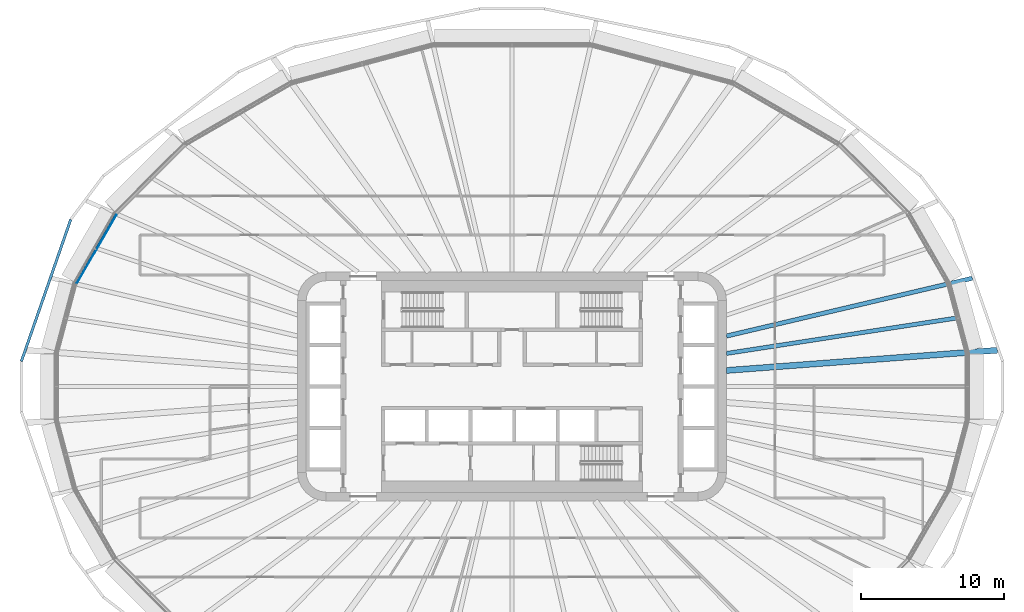
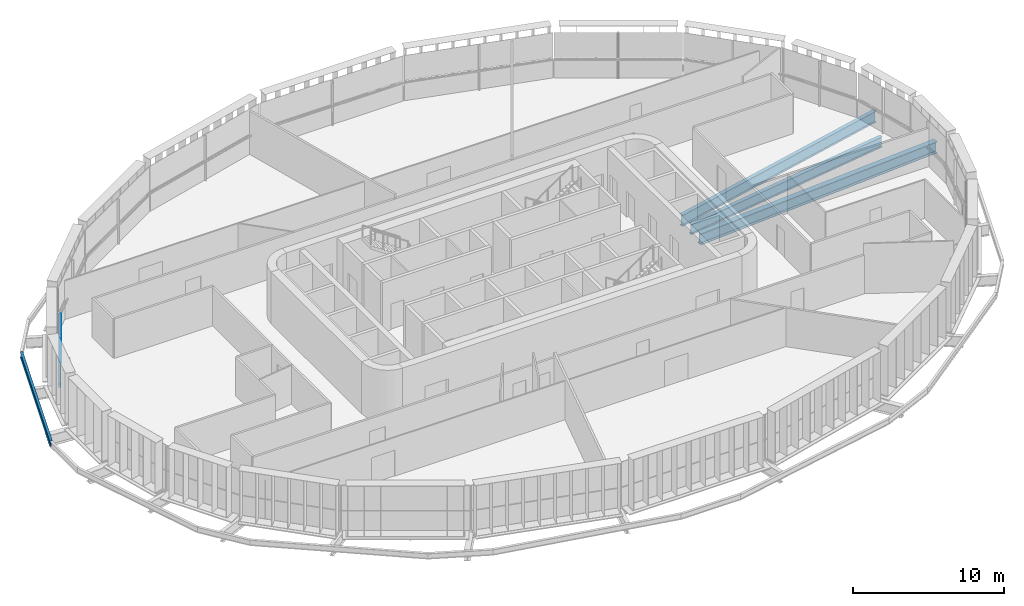
# One storey, part 6 of 25: 5 beams, 1 member, 1 element without a shape of its own.
"""IFC4 building model written with IfcOpenShell, lengths in metres."""

from ifc_helpers import new_model, si_unit, direction, frame, origin, origin_2d, place, context, subcontext, project, spatial, rectangle, i_section, extrude, material, layer, layer_set, material_profile, profile_set, type_object, element, aggregate, save


model = new_model("IFC4")

# Units and contexts
model_context = context("Model", 3, precision=1e-05, world=origin(), true_north=direction((0.0, 1.0)))
body_context = subcontext(model_context, "Body", "Model", "MODEL_VIEW")
ifc_project = project(units=[si_unit("LENGTHUNIT", "METRE"), si_unit("AREAUNIT", "SQUARE_METRE"), si_unit("VOLUMEUNIT", "CUBIC_METRE"), si_unit("PLANEANGLEUNIT", "RADIAN"), si_unit("MASSUNIT", "GRAM", prefix="KILO")], contexts=[model_context])

# Site, building, storey
site_placement = place(None, origin())
site = spatial("IfcSite", under=ifc_project, at=site_placement, CompositionType="ELEMENT")
building_placement = place(site_placement, origin())
building = spatial("IfcBuilding", under=site, at=building_placement, Name="Sahrelin Media Tower", CompositionType="ELEMENT")
storey_placement = place(building_placement, frame((0.0, 0.0, 110.39990234375)))
storey = spatial("IfcBuildingStorey", under=building, at=storey_placement, Name="L21", CompositionType="ELEMENT", Elevation=110.39990234375)

# Beams
ifc_material_1 = material(Name="Steel S355", Category="steel")
ifc_material_profile_1 = material_profile(ifc_material_1, i_section(OverallWidth=0.1650390625, OverallDepth=0.303466796875, WebThickness=0.006103515625, FlangeThickness=0.01025390625, FilletRadius=0.0087890625, at=origin_2d()), Name="UB 305x165x40")
ifc_profile_set_1 = profile_set([ifc_material_profile_1], Name="Steel S355")
beam_type_1 = type_object("IfcBeamType", Name="Edge beam EB2", PredefinedType="BEAM", material=ifc_profile_set_1)
beam_1_placement = place(storey_placement, frame((-30.5048828125, 7.1650390625, -0.301513671875), z_axis=(0.500017404508, 0.866015355054, 0.0), x_axis=(-0.866015355054, 0.500017404508, 0.0)))
element("IfcBeam", 1, at=beam_1_placement, inside=storey, type_object=beam_type_1, Name="Edge beam L21-15", PredefinedType="BEAM", context=body_context, shape_type="SweptSolid", body=[
    extrude(i_section(OverallWidth=0.1650390625, OverallDepth=0.303466796875, WebThickness=0.006103515625, FlangeThickness=0.01025390625, FilletRadius=0.0087890625, at=origin_2d()), origin(), (0.0, 0.0, 1.0), 5.612548828125),
])
ifc_material_profile_2 = material_profile(ifc_material_1, i_section(OverallWidth=0.30322265625, OverallDepth=0.903076171875, WebThickness=0.01513671875, FlangeThickness=0.020263671875, FilletRadius=0.01904296875, at=origin_2d()), Name="UB 914x305x201")
ifc_profile_set_2 = profile_set([ifc_material_profile_2], Name="Steel S355")
beam_type_2 = type_object("IfcBeamType", Name="Radial primary beam PB11", PredefinedType="BEAM", material=ifc_profile_set_2)
beam_2_placement = place(storey_placement, frame((15.0, 3.528564453125, -0.601318359375), z_axis=(0.973430951904, 0.228980745641, 0.0), x_axis=(-0.228980745641, 0.973430951904, 0.0)))
element("IfcBeam", 2, at=beam_2_placement, inside=storey, type_object=beam_type_2, Name="Radial beam L21-02", PredefinedType="BEAM", context=body_context, shape_type="SweptSolid", body=[
    extrude(i_section(OverallWidth=0.30322265625, OverallDepth=0.903076171875, WebThickness=0.01513671875, FlangeThickness=0.020263671875, FilletRadius=0.01904296875, at=origin_2d()), origin(), (0.0, 0.0, 1.0), 17.652099609375),
])
ifc_material_profile_3 = material_profile(ifc_material_1, i_section(OverallWidth=0.41845703125, OverallDepth=0.911865234375, WebThickness=0.019287109375, FlangeThickness=0.031982421875, FilletRadius=0.024169921875, at=origin_2d()), Name="UB 914x419x343")
ifc_profile_set_3 = profile_set([ifc_material_profile_3], Name="Steel S355")
beam_type_3 = type_object("IfcBeamType", Name="Radial primary beam PB12", PredefinedType="BEAM", material=ifc_profile_set_3)
beam_3_placement = place(storey_placement, frame((15.0, 1.12109375, -0.605712890625), z_axis=(0.997220437649, 0.074507709238, 0.0), x_axis=(-0.074507709238, 0.997220437649, 0.0)))
element("IfcBeam", 3, at=beam_3_placement, inside=storey, type_object=beam_type_3, Name="Radial beam L21-01", PredefinedType="BEAM", context=body_context, shape_type="SweptSolid", body=[
    extrude(i_section(OverallWidth=0.41845703125, OverallDepth=0.911865234375, WebThickness=0.019287109375, FlangeThickness=0.031982421875, FilletRadius=0.024169921875, at=origin_2d()), origin(), (0.0, 0.0, 1.0), 18.988525390625),
])
ifc_material_profile_4 = material_profile(ifc_material_1, i_section(OverallWidth=0.291748046875, OverallDepth=0.8349609375, WebThickness=0.013916015625, FlangeThickness=0.018798828125, FilletRadius=0.017822265625, at=origin_2d()), Name="UB 838x292x176")
ifc_profile_set_4 = profile_set([ifc_material_profile_4], Name="Steel S355")
beam_type_4 = type_object("IfcBeamType", Name="Radial secondary beam SB10", PredefinedType="BEAM", material=ifc_profile_set_4)
beam_4_placement = place(storey_placement, frame((15.0, 2.310302734375, -0.5673828125), z_axis=(0.988347036521, 0.152217395197, 0.0), x_axis=(-0.152217395197, 0.988347036521, 0.0)))
element("IfcBeam", 4, at=beam_4_placement, inside=storey, type_object=beam_type_4, Name="Secondary beam L21-01", PredefinedType="BEAM", context=body_context, shape_type="SweptSolid", body=[
    extrude(i_section(OverallWidth=0.291748046875, OverallDepth=0.8349609375, WebThickness=0.013916015625, FlangeThickness=0.018798828125, FilletRadius=0.017822265625, at=origin_2d()), origin(), (0.0, 0.0, 1.0), 16.26025390625),
])
ifc_material_profile_5 = material_profile(ifc_material_1, i_section(OverallWidth=0.1904296875, OverallDepth=0.45703125, WebThickness=0.009033203125, FlangeThickness=0.014404296875, FilletRadius=0.01025390625, at=origin_2d()), Name="UB 457x191x74")
ifc_profile_set_5 = profile_set([ifc_material_profile_5], Name="Steel S355")
beam_type_5 = type_object("IfcBeamType", Name="Tie chord TC5", PredefinedType="BEAM", material=ifc_profile_set_5)
beam_5_placement = place(storey_placement, frame((-30.852294921875, 11.682861328125, -0.37841796875), z_axis=(-0.328770150745, -0.94440996817, 0.0), x_axis=(0.94440996817, -0.328770150745, 0.0)))
element("IfcBeam", 5, at=beam_5_placement, inside=storey, type_object=beam_type_5, Name="Tie chord L21-11", PredefinedType="BEAM", context=body_context, shape_type="SweptSolid", body=[
    extrude(i_section(OverallWidth=0.1904296875, OverallDepth=0.45703125, WebThickness=0.009033203125, FlangeThickness=0.014404296875, FilletRadius=0.01025390625, at=origin_2d()), origin(), (0.0, 0.0, 1.0), 10.51123046875),
])

# Curtain wall, member
ifc_material_2 = material(Name="Champagne anodised aluminium 6063-T6", Category="aluminium")
ifc_layer = layer(ifc_material_2, 0.14990234375)
ifc_layer_set = layer_set([ifc_layer], Name="Tower ribbon curtain wall")
curtain_wall_type = type_object("IfcCurtainWallType", Name="Tower ribbon curtain wall", PredefinedType="NOTDEFINED", material=ifc_layer_set)
curtain_wall_placement = place(storey_placement, frame((-29.231689453125, 9.67041015625, 0.0), z_axis=(0.0, 0.0, 1.0), x_axis=(1.0, 0.0, 0.0)))
curtain_wall = element("IfcCurtainWall", 6, at=curtain_wall_placement, inside=storey, type_object=curtain_wall_type, Name="L21:CW:L21-10", PredefinedType="NOTDEFINED")
ifc_material_profile_6 = material_profile(ifc_material_2, rectangle(XDim=0.050048828125, YDim=0.10009765625, at=origin_2d()), Name="Transom 50x100")
ifc_profile_set_6 = profile_set([ifc_material_profile_6], Name="Champagne anodised aluminium 6063-T6")
member_type = type_object("IfcMemberType", Name="Transom 50x100 CW1", PredefinedType="USERDEFINED", material=ifc_profile_set_6)
member_placement = place(storey_placement, frame((-27.66748046875, 11.989501953125, 1.60009765625), z_axis=(-0.499987512418, -0.866032613373, 0.0), x_axis=(0.866032613373, -0.499987512418, 0.0)))
member = element("IfcMember", 7, at=member_placement, type_object=member_type, Name="L21:CWT:L21-10", ObjectType="TRANSOM", PredefinedType="USERDEFINED", context=body_context, shape_type="SweptSolid", body=[
    extrude(rectangle(XDim=0.050048828125, YDim=0.10009765625, at=origin_2d()), origin(), (0.0, 0.0, 1.0), 5.581298828125),
])
aggregate(curtain_wall, [member])

save(model, "model.ifc")
